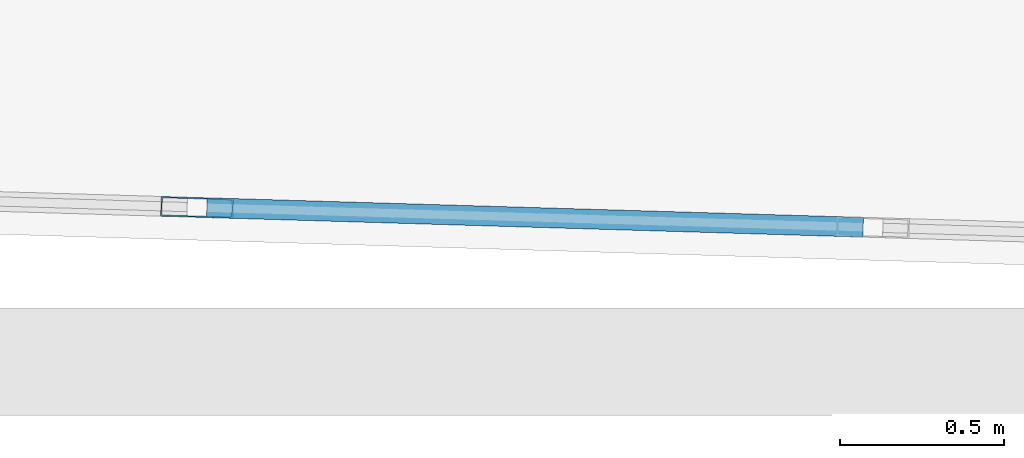
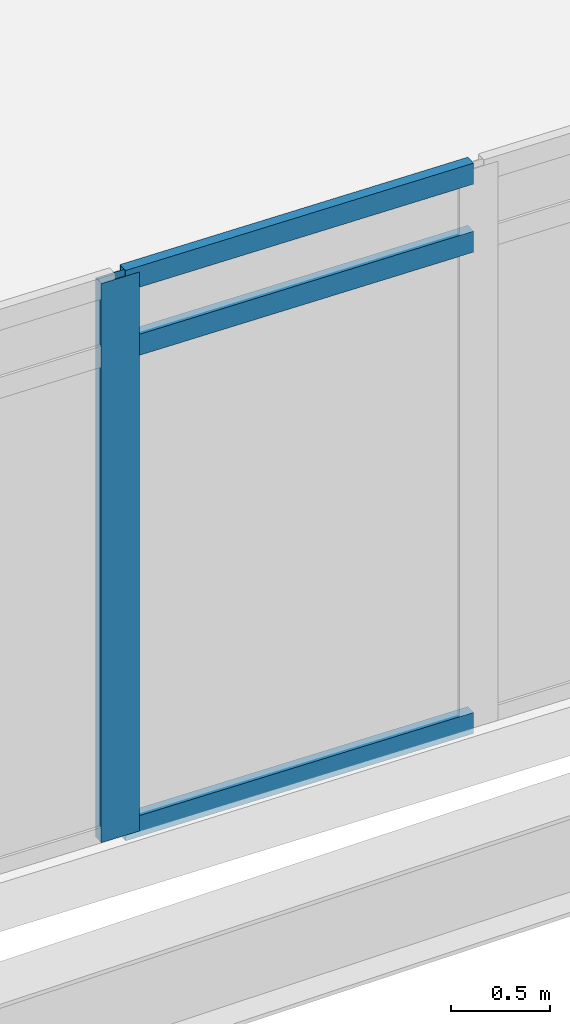
# One storey, part 7 of 37: 4 members, 1 element without a shape of its own.
"""IFC4 building model written with IfcOpenShell, lengths in metres."""

from ifc_helpers import new_model, si_unit, direction, frame, origin, origin_2d, place, context, subcontext, project, spatial, hollow_rectangle, extrude, material, material_profile, profile_set, type_object, element, aggregate, save


model = new_model("IFC4")

# Units and contexts
model_context = context("Model", 3, precision=1e-05, world=origin(), true_north=direction((0.0, 1.0)))
body_context = subcontext(model_context, "Body", "Model", "MODEL_VIEW")
ifc_project = project(units=[si_unit("LENGTHUNIT", "METRE"), si_unit("AREAUNIT", "SQUARE_METRE"), si_unit("VOLUMEUNIT", "CUBIC_METRE"), si_unit("PLANEANGLEUNIT", "RADIAN"), si_unit("MASSUNIT", "GRAM", prefix="KILO")], contexts=[model_context])

# Site, building, storey
site_placement = place(None, origin())
site = spatial("IfcSite", under=ifc_project, at=site_placement, CompositionType="ELEMENT")
building_placement = place(site_placement, origin())
building = spatial("IfcBuilding", under=site, at=building_placement, Name="Ostrander Bayou Hotel Tower", CompositionType="ELEMENT")
storey_placement = place(building_placement, frame((0.0, 0.0, 131.0)))
storey = spatial("IfcBuildingStorey", under=building, at=storey_placement, Name="L32", CompositionType="ELEMENT", Elevation=131.0)

# Curtain wall, members
ifc_material_1 = material(Name="Aluminium and clear glass", Category="aluminium")
curtain_wall_type = type_object("IfcCurtainWallType", Name="CW-BAR glazed wall", PredefinedType="NOTDEFINED", material=ifc_material_1)
curtain_wall_placement = place(storey_placement, origin())
curtain_wall = element("IfcCurtainWall", 1, at=curtain_wall_placement, inside=storey, type_object=curtain_wall_type, Name="CW-BAR L32:SB3S:T", PredefinedType="NOTDEFINED")
ifc_material_2 = material(Name="Aluminium", Category="aluminium")
ifc_material_profile_1 = material_profile(ifc_material_2, hollow_rectangle(XDim=0.06005859375, YDim=0.219970703125, WallThickness=0.00390625, at=origin_2d()))
ifc_profile_set_1 = profile_set([ifc_material_profile_1], Name="Aluminium")
member_type_1 = type_object("IfcMemberType", Name="CW-BR mullion 60 x 220 mm", PredefinedType="MULLION", material=ifc_profile_set_1)
member_1_placement = place(storey_placement, frame((1.0283203125, -30.980712890625, 0.0), z_axis=(0.0, 0.0, 1.0), x_axis=(0.029746242041, 0.999557482631, 0.0)))
member_1 = element("IfcMember", 2, at=member_1_placement, type_object=member_type_1, Name="CW-BAR mullion 8", PredefinedType="MULLION", context=body_context, shape_type="SweptSolid", body=[
    extrude(hollow_rectangle(XDim=0.06005859375, YDim=0.219970703125, WallThickness=0.00390625, at=origin_2d()), origin(), (0.0, 0.0, 1.0), 3.449951171875),
])
ifc_material_3 = material(Name="Aluminium", Category="aluminium")
ifc_material_profile_2 = material_profile(ifc_material_3, hollow_rectangle(XDim=0.06005859375, YDim=0.1298828125, WallThickness=0.00390625, at=origin_2d()))
ifc_profile_set_2 = profile_set([ifc_material_profile_2], Name="Aluminium")
member_type_2 = type_object("IfcMemberType", Name="CW-BR transom 60 x 130 mm", PredefinedType="USERDEFINED", material=ifc_profile_set_2)
member_2_placement = place(storey_placement, frame((1.058349609375, -30.9814453125, 0.030029296875), z_axis=(0.999555090424, -0.029826518535, 0.0), x_axis=(0.029826518535, 0.999555090424, 0.0)))
member_2 = element("IfcMember", 3, at=member_2_placement, type_object=member_type_2, Name="CW-BAR transom 8.1", ObjectType="TRANSOM", PredefinedType="USERDEFINED", context=body_context, shape_type="SweptSolid", body=[
    extrude(hollow_rectangle(XDim=0.06005859375, YDim=0.1298828125, WallThickness=0.00390625, at=origin_2d()), origin(), (0.0, 0.0, 1.0), 1.997314453125),
])
member_3_placement = place(storey_placement, frame((1.058349609375, -30.9814453125, 3.0), z_axis=(0.999555090424, -0.029826518535, 0.0), x_axis=(0.029826518535, 0.999555090424, 0.0)))
member_3 = element("IfcMember", 4, at=member_3_placement, type_object=member_type_2, Name="CW-BAR transom 8.2", ObjectType="TRANSOM", PredefinedType="USERDEFINED", context=body_context, shape_type="SweptSolid", body=[
    extrude(hollow_rectangle(XDim=0.06005859375, YDim=0.1298828125, WallThickness=0.00390625, at=origin_2d()), origin(), (0.0, 0.0, 1.0), 1.997314453125),
])
member_4_placement = place(storey_placement, frame((1.058349609375, -30.9814453125, 3.419921875), z_axis=(0.999555090424, -0.029826518535, 0.0), x_axis=(0.029826518535, 0.999555090424, 0.0)))
member_4 = element("IfcMember", 5, at=member_4_placement, type_object=member_type_2, Name="CW-BAR transom 8.3", ObjectType="TRANSOM", PredefinedType="USERDEFINED", context=body_context, shape_type="SweptSolid", body=[
    extrude(hollow_rectangle(XDim=0.06005859375, YDim=0.1298828125, WallThickness=0.00390625, at=origin_2d()), origin(), (0.0, 0.0, 1.0), 1.997314453125),
])
aggregate(curtain_wall, [member_1, member_2, member_3, member_4])

save(model, "model.ifc")
